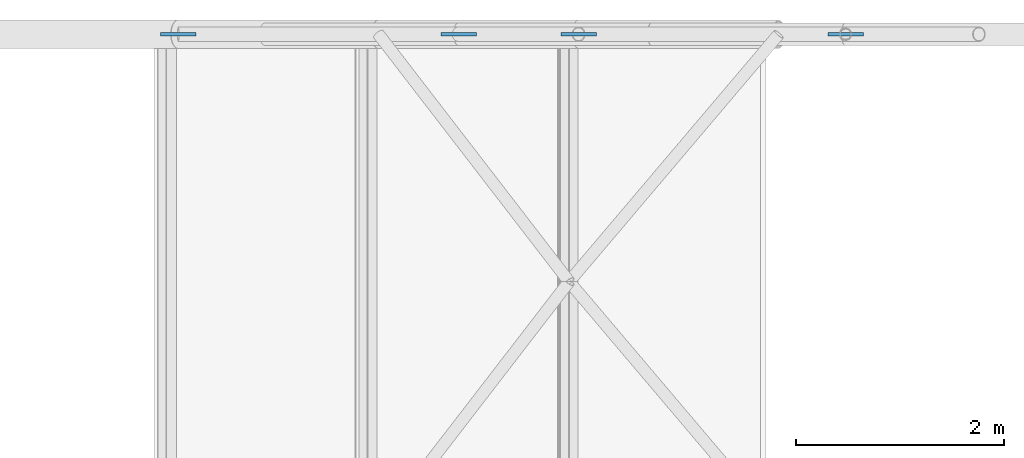
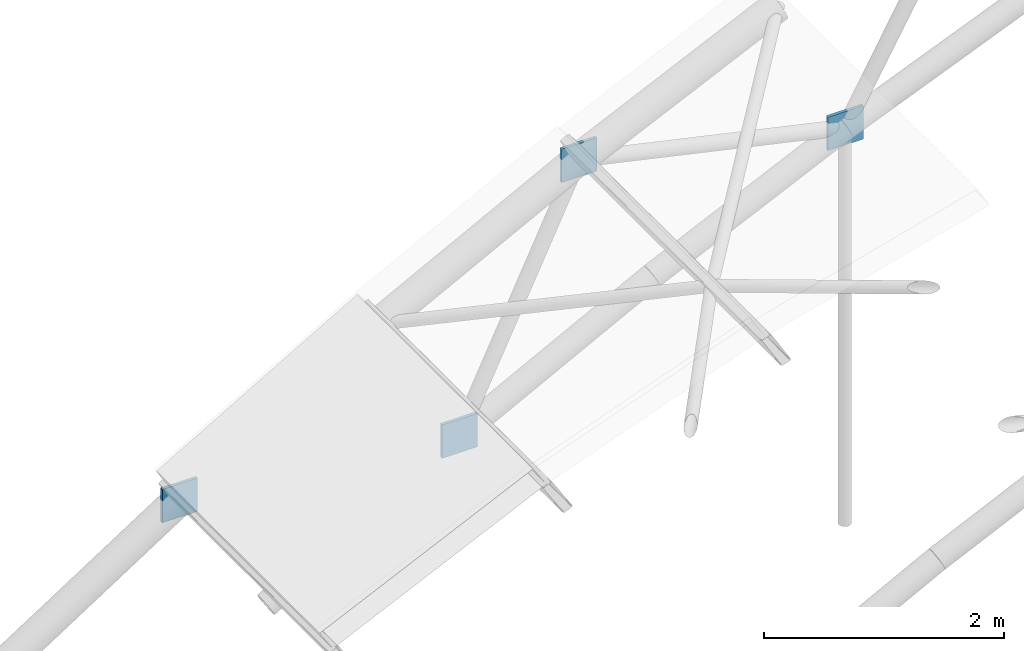
# One storey, part 40 of 50: 4 discrete accessories.
"""IFC4 building model written with IfcOpenShell, lengths in metres."""

from ifc_helpers import new_model, si_unit, direction, frame, origin, origin_2d, place, context, subcontext, project, spatial, rectangle, extrude, material, layer, layer_set, type_object, element, save


model = new_model("IFC4")

# Units and contexts
model_context = context("Model", 3, precision=1e-05, world=origin(), true_north=direction((0.0, 1.0)))
body_context = subcontext(model_context, "Body", "Model", "MODEL_VIEW")
ifc_project = project(units=[si_unit("LENGTHUNIT", "METRE"), si_unit("AREAUNIT", "SQUARE_METRE"), si_unit("VOLUMEUNIT", "CUBIC_METRE"), si_unit("PLANEANGLEUNIT", "RADIAN"), si_unit("MASSUNIT", "GRAM", prefix="KILO")], contexts=[model_context])

# Site, building, storey
site_placement = place(None, origin())
site = spatial("IfcSite", under=ifc_project, at=site_placement, CompositionType="ELEMENT")
building_placement = place(site_placement, origin())
building = spatial("IfcBuilding", under=site, at=building_placement, Name="Elbe Cascade School", CompositionType="ELEMENT")
storey_placement = place(building_placement, frame((0.0, 0.0, 15.300048828125)))
storey = spatial("IfcBuildingStorey", under=building, at=storey_placement, Name="L04", CompositionType="ELEMENT", Elevation=15.300048828125)

# Discrete accessories
ifc_material = material(Name="Steel S355J2", Category="steel")
ifc_layer = layer(ifc_material, 0.030029296875)
ifc_layer_set = layer_set([ifc_layer], Name="Steel S355J2")
discrete_accessory_type = type_object("IfcDiscreteAccessoryType", Name="Truss node connection", PredefinedType="BRACKET", material=ifc_layer_set)
for number, where, z_axis, x_axis, name in (
    (1, (11.71435546875, 69.5, 0.3984375), (0.0, 0.0, 1.0), (1.0, 0.0, 0.0), "Truss node connection AC1"),
    (2, (15.4287109375, 69.5, 2.2294921875), (0.0, 0.0, 1.0), (1.0, 0.0, 0.0), "Truss node connection AC1"),
    (3, (9.02197265625, 69.5, 0.68505859375), (0.0, 0.0, 1.0), (1.0, 0.0, 0.0), "Truss node connection AC1"),
    (4, (12.86474609375, 69.5, 2.80126953125), (0.0, 0.0, 1.0), (1.0, 0.0, 0.0), "Truss node connection AC1"),
):
    element("IfcDiscreteAccessory", number, at=place(storey_placement, frame(where, z_axis=z_axis, x_axis=x_axis)), inside=storey, type_object=discrete_accessory_type, Name=name, PredefinedType="BRACKET", context=body_context, shape_type="SweptSolid", body=[
        extrude(rectangle(XDim=0.340087890625, YDim=0.030029296875, at=origin_2d()), origin(), (0.0, 0.0, 1.0), 0.340087890625),
    ])

save(model, "model.ifc")
